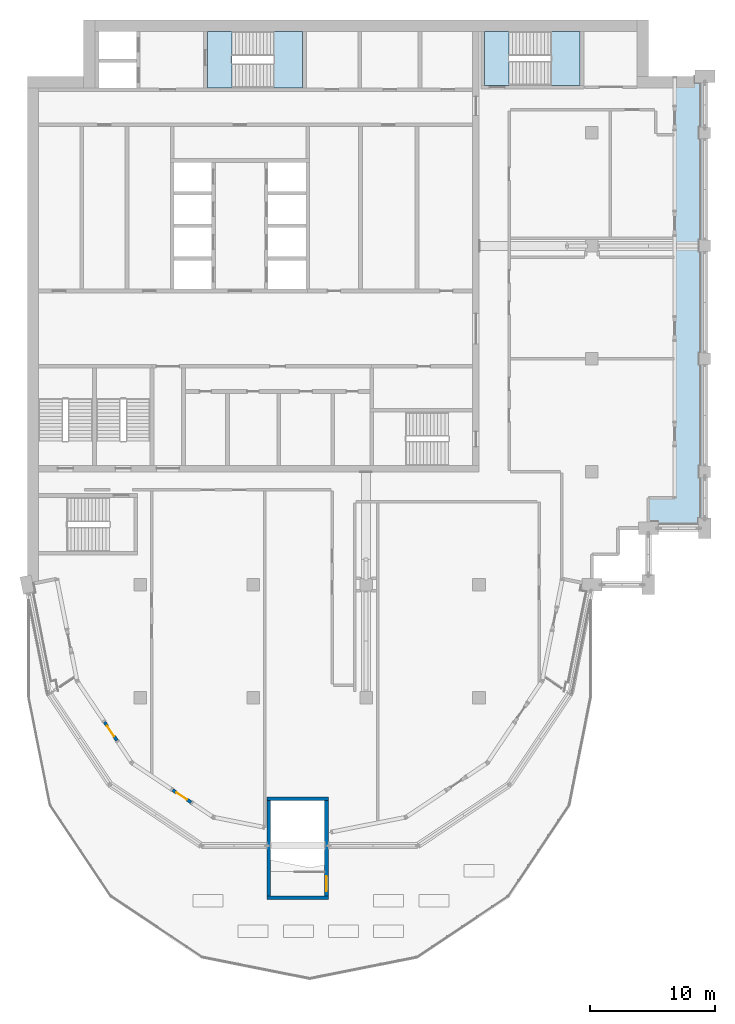
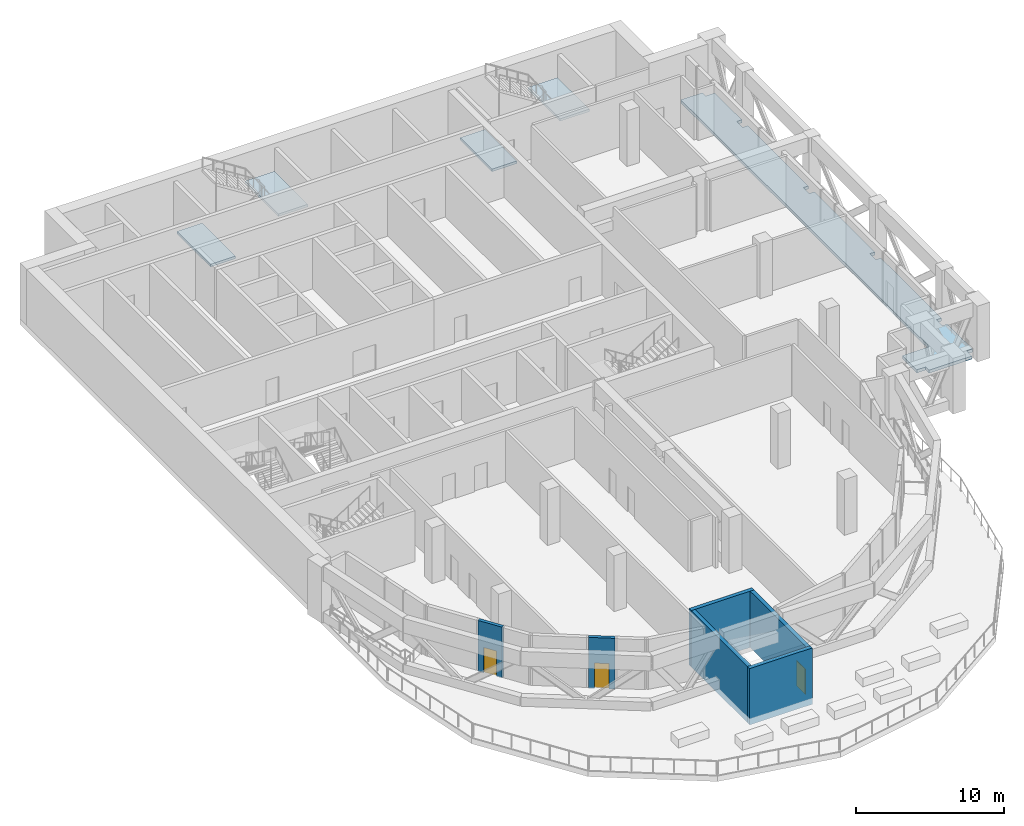
# One storey, part 6 of 18: 6 walls, 5 slabs, 3 doors, 3 openings, 2 elements without a shape of their own.
"""IFC4 building model written with IfcOpenShell, lengths in metres."""

from ifc_helpers import new_model, si_unit, direction, frame, frame_2d, origin, place, context, subcontext, project, spatial, polyline, rectangle, outline, extrude, material, layer, layer_set, type_object, element, fill, aggregate, save


model = new_model("IFC4")

# Units and contexts
model_context = context("Model", 3, precision=1e-05, world=origin(), true_north=direction((0.0, 1.0)))
body_context = subcontext(model_context, "Body", "Model", "MODEL_VIEW")
ifc_project = project(units=[si_unit("LENGTHUNIT", "METRE"), si_unit("AREAUNIT", "SQUARE_METRE"), si_unit("VOLUMEUNIT", "CUBIC_METRE"), si_unit("PLANEANGLEUNIT", "RADIAN"), si_unit("MASSUNIT", "GRAM", prefix="KILO")], contexts=[model_context])

# Site, building, storey
site_placement = place(None, origin())
site = spatial("IfcSite", under=ifc_project, at=site_placement, CompositionType="ELEMENT")
building_placement = place(site_placement, origin())
building = spatial("IfcBuilding", under=site, at=building_placement, Name="Hunhe Ridgeline Campus", CompositionType="ELEMENT")
storey_placement = place(building_placement, frame((0.0, 0.0, 276.199951171875)))
storey = spatial("IfcBuildingStorey", under=building, at=storey_placement, Name="L71", CompositionType="ELEMENT", Elevation=276.199951171875)

# Slab
ifc_material_1 = material(Name="Concrete C40", Category="concrete")
ifc_layer_1 = layer(ifc_material_1, 0.25)
ifc_layer_set_1 = layer_set([ifc_layer_1], Name="Loggia slab 250 Concrete C40")
slab_type_1 = type_object("IfcSlabType", Name="Loggia slab 250 Concrete C40", PredefinedType="FLOOR", material=ifc_layer_set_1)
slab_1_placement = place(storey_placement, frame((0.0, 0.0, -0.25)))
element("IfcSlab", 1, at=slab_1_placement, inside=storey, type_object=slab_type_1, Name="Loggia slab 3", PredefinedType="FLOOR", context=body_context, shape_type="SweptSolid", body=[
    extrude(outline(polyline([(49.5, 60.89990234375), (49.5, 58.949951171875), (50.199951171875, 58.949951171875), (50.199951171875, 58.5), (53.550048828125, 58.5), (53.550048828125, 59.199951171875), (54.0, 59.199951171875), (54.0, 62.60009765625), (53.60009765625, 62.60009765625), (53.60009765625, 63.39990234375), (54.0, 63.39990234375), (54.0, 71.60009765625), (53.60009765625, 71.60009765625), (53.60009765625, 72.39990234375), (54.0, 72.39990234375), (54.0, 80.60009765625), (53.60009765625, 80.60009765625), (53.60009765625, 81.39990234375), (54.0, 81.39990234375), (54.0, 89.60009765625), (53.60009765625, 89.60009765625), (53.60009765625, 90.39990234375), (54.0, 90.39990234375), (54.0, 94.050048828125), (53.300048828125, 94.050048828125), (53.300048828125, 94.5), (51.60009765625, 94.5), (51.60009765625, 60.89990234375), (49.5, 60.89990234375)])), origin(), (0.0, 0.0, 1.0), 0.25),
])

# Stair, slab
stair_type = type_object("IfcStairType", Name="Reinforced concrete dog-leg stair 1950 Concrete C40", PredefinedType="HALF_TURN_STAIR", material=ifc_material_1)
stair_1_placement = place(storey_placement, origin())
stair_1 = element("IfcStair", 2, at=stair_1_placement, inside=storey, type_object=stair_type, Name="L71 S1", PredefinedType="HALF_TURN_STAIR")
ifc_layer_2 = layer(ifc_material_1, 0.199951171875)
ifc_layer_set_2 = layer_set([ifc_layer_2], Name="Reinforced concrete stair landing 200 Concrete C40")
slab_type_2 = type_object("IfcSlabType", Name="Reinforced concrete stair landing 200 Concrete C40", PredefinedType="LANDING", material=ifc_layer_set_2)
slab_2_placement = place(storey_placement, frame((0.0, 0.0, 2.10009765625)))
slab_2 = element("IfcSlab", 3, at=slab_2_placement, type_object=slab_type_2, Name="ST1 landing 1", PredefinedType="LANDING", context=body_context, shape_type="SweptSolid", body=[
    extrude(outline(polyline([(19.659912109375, 93.60009765625), (21.949951171875, 93.60009765625), (21.949951171875, 98.10009765625), (19.659912109375, 98.10009765625), (19.659912109375, 93.60009765625)])), origin(), (0.0, 0.0, 1.0), 0.199951171875),
])
aggregate(stair_1, [slab_2])

# Slab
slab_3_placement = place(storey_placement, frame((0.0, 0.0, -0.199951171875)))
element("IfcSlab", 4, at=slab_3_placement, inside=storey, type_object=slab_type_2, Name="L71 stair S1 floor landing", PredefinedType="LANDING", context=body_context, shape_type="SweptSolid", body=[
    extrude(outline(polyline([(14.35009765625, 93.60009765625), (16.300048828125, 93.60009765625), (16.300048828125, 98.10009765625), (14.35009765625, 98.10009765625), (14.35009765625, 93.60009765625)])), origin(), (0.0, 0.0, 1.0), 0.199951171875),
])

# Stair, slab
stair_2_placement = place(storey_placement, origin())
stair_2 = element("IfcStair", 5, at=stair_2_placement, inside=storey, type_object=stair_type, Name="L71 E1", PredefinedType="HALF_TURN_STAIR")
slab_4_placement = place(storey_placement, frame((0.0, 0.0, 2.10009765625)))
slab_4 = element("IfcSlab", 6, at=slab_4_placement, type_object=slab_type_2, Name="ST5 landing 1", PredefinedType="LANDING", context=body_context, shape_type="SweptSolid", body=[
    extrude(outline(polyline([(41.760009765625, 93.800048828125), (44.050048828125, 93.800048828125), (44.050048828125, 98.10009765625), (41.760009765625, 98.10009765625), (41.760009765625, 93.800048828125)])), origin(), (0.0, 0.0, 1.0), 0.199951171875),
])
aggregate(stair_2, [slab_4])

# Slab
slab_5_placement = place(storey_placement, frame((0.0, 0.0, -0.199951171875)))
element("IfcSlab", 7, at=slab_5_placement, inside=storey, type_object=slab_type_2, Name="L71 stair E1 floor landing", PredefinedType="LANDING", context=body_context, shape_type="SweptSolid", body=[
    extrude(outline(polyline([(36.449951171875, 93.800048828125), (38.39990234375, 93.800048828125), (38.39990234375, 98.10009765625), (36.449951171875, 98.10009765625), (36.449951171875, 93.800048828125)])), origin(), (0.0, 0.0, 1.0), 0.199951171875),
])

# Wall, opening, door
ifc_material_2 = material(Name="Concrete C30", Category="concrete")
ifc_layer_3 = layer(ifc_material_2, 0.25)
ifc_layer_set_3 = layer_set([ifc_layer_3], Name="Loggia door pier wall 250 Concrete C30")
wall_type_1 = type_object("IfcWallType", Name="Loggia door pier wall 250 Concrete C30", PredefinedType="SOLIDWALL", material=ifc_layer_set_3)
wall_1_placement = place(storey_placement, frame((6.147705078125, 43.07373046875, 0.0), z_axis=(0.0, 0.0, 1.0), x_axis=(0.555576323502, -0.83146554274, 0.0)))
wall_1 = element("IfcWall", 8, at=wall_1_placement, inside=storey, type_object=wall_type_1, Name="Loggia door pier 2", PredefinedType="SOLIDWALL", context=body_context, shape_type="SweptSolid", body=[
    extrude(rectangle(XDim=1.800048828125, YDim=0.25, at=frame_2d((0.89990234375, 0.0))), origin(), (0.0, 0.0, 1.0), 4.199951171875),
])
opening_1_placement = place(wall_1_placement, frame((0.39990234375, 0.0, 0.0)))
opening_1 = element("IfcOpeningElement", 9, at=opening_1_placement, cuts=wall_1, Name="Opening BR602", PredefinedType="OPENING", context=body_context, shape_type="SweptSolid", body=[
    extrude(rectangle(XDim=1.0, YDim=2.10009765625, at=frame_2d((0.5, 1.050048828125))), frame((0.0, 0.125, 0.0), z_axis=(0.0, -1.0, 0.0), x_axis=(1.0, 0.0, 0.0)), (0.0, 0.0, 1.0), 0.25),
])
ifc_material_3 = material(Name="Aluminium 6063", Category="aluminium")
door_type_1 = type_object("IfcDoorType", Name="Loggia glazed door 1000x2100", OperationType="NOTDEFINED", PredefinedType="DOOR", material=ifc_material_3)
door_1_placement = place(opening_1_placement, frame((1.0, 0.0, 0.0), z_axis=(0.0, 0.0, 1.0), x_axis=(-1.0, 0.0, 0.0)))
door_1 = element("IfcDoor", 10, at=door_1_placement, inside=storey, type_object=door_type_1, Name="Loggia door BR602", OperationType="SINGLE_SWING_LEFT", OverallHeight=2.10009765625, OverallWidth=1.0, PredefinedType="DOOR", context=body_context, shape_type="SweptSolid", body=[
    extrude(rectangle(XDim=1.0, YDim=2.10009765625, at=frame_2d((0.5, 1.050048828125))), frame((0.0, 0.02490234375, 0.0), z_axis=(0.0, -1.0, 0.0), x_axis=(1.0, 0.0, 0.0)), (0.0, 0.0, 1.0), 0.050048828125),
])
fill(opening_1, door_1)

wall_2_placement = place(storey_placement, frame((11.57373046875, 37.647705078125, 0.0), z_axis=(0.0, 0.0, 1.0), x_axis=(0.83146554274, -0.555576323502, 0.0)))
wall_2 = element("IfcWall", 11, at=wall_2_placement, inside=storey, type_object=wall_type_1, Name="Loggia door pier 3", PredefinedType="SOLIDWALL", context=body_context, shape_type="SweptSolid", body=[
    extrude(rectangle(XDim=1.800048828125, YDim=0.25, at=frame_2d((0.89990234375, 0.0))), origin(), (0.0, 0.0, 1.0), 4.199951171875),
])
opening_2_placement = place(wall_2_placement, frame((0.39990234375, 0.0, 0.0)))
opening_2 = element("IfcOpeningElement", 12, at=opening_2_placement, cuts=wall_2, Name="Opening BR603", PredefinedType="OPENING", context=body_context, shape_type="SweptSolid", body=[
    extrude(rectangle(XDim=1.0, YDim=2.10009765625, at=frame_2d((0.5, 1.050048828125))), frame((0.0, 0.125, 0.0), z_axis=(0.0, -1.0, 0.0), x_axis=(1.0, 0.0, 0.0)), (0.0, 0.0, 1.0), 0.25),
])
door_2_placement = place(opening_2_placement, frame((1.0, 0.0, 0.0), z_axis=(0.0, 0.0, 1.0), x_axis=(-1.0, 0.0, 0.0)))
door_2 = element("IfcDoor", 13, at=door_2_placement, inside=storey, type_object=door_type_1, Name="Loggia door BR603", OperationType="SINGLE_SWING_RIGHT", OverallHeight=2.10009765625, OverallWidth=1.0, PredefinedType="DOOR", context=body_context, shape_type="SweptSolid", body=[
    extrude(rectangle(XDim=1.0, YDim=2.10009765625, at=frame_2d((0.5, 1.050048828125))), frame((0.0, 0.02490234375, 0.0), z_axis=(0.0, -1.0, 0.0), x_axis=(1.0, 0.0, 0.0)), (0.0, 0.0, 1.0), 0.050048828125),
])
fill(opening_2, door_2)

# Walls
ifc_material_4 = material(Name="Concrete C50", Category="concrete")
ifc_layer_4 = layer(ifc_material_4, 0.300048828125)
ifc_layer_set_4 = layer_set([ifc_layer_4], Name="Stair wall 300 reinforced concrete C50")
wall_type_2 = type_object("IfcWallType", Name="Stair wall 300 reinforced concrete C50", PredefinedType="SOLIDWALL", material=ifc_layer_set_4)
for number, where, z_axis, x_axis, name in (
    (14, (19.10009765625, 29.050048828125, -0.449951171875), (0.0, 0.0, 1.0), (1.0, 0.0, 0.0), "L71 core wall 1"),
    (15, (19.10009765625, 36.949951171875, -0.449951171875), (0.0, 0.0, 1.0), (1.0, 0.0, 0.0), "L71 core wall 2"),
):
    element("IfcWall", number, at=place(storey_placement, frame(where, z_axis=z_axis, x_axis=x_axis)), inside=storey, type_object=wall_type_2, Name=name, PredefinedType="SOLIDWALL", context=body_context, shape_type="SweptSolid", body=[
        extrude(rectangle(XDim=4.89990234375, YDim=0.300048828125, at=frame_2d((2.449951171875, 0.0))), origin(), (0.0, 0.0, 1.0), 4.64990234375),
    ])
wall_3_placement = place(storey_placement, frame((19.25, 29.199951171875, -0.449951171875), z_axis=(0.0, 0.0, 1.0), x_axis=(0.0, 1.0, 0.0)))
element("IfcWall", 16, at=wall_3_placement, inside=storey, type_object=wall_type_2, Name="L71 core wall 38", PredefinedType="SOLIDWALL", context=body_context, shape_type="SweptSolid", body=[
    extrude(rectangle(XDim=7.60009765625, YDim=0.300048828125, at=frame_2d((3.800048828125, 0.0))), origin(), (0.0, 0.0, 1.0), 4.64990234375),
])

# Wall, opening, door
wall_4_placement = place(storey_placement, frame((23.85009765625, 29.199951171875, -0.449951171875), z_axis=(0.0, 0.0, 1.0), x_axis=(0.0, 1.0, 0.0)))
wall_4 = element("IfcWall", 17, at=wall_4_placement, inside=storey, type_object=wall_type_2, Name="L71 core wall 43", PredefinedType="SOLIDWALL", context=body_context, shape_type="SweptSolid", body=[
    extrude(rectangle(XDim=7.60009765625, YDim=0.300048828125, at=frame_2d((3.800048828125, 0.0))), origin(), (0.0, 0.0, 1.0), 4.64990234375),
])
opening_3_placement = place(wall_4_placement, frame((0.375, 0.0, 0.449951171875)))
opening_3 = element("IfcOpeningElement", 18, at=opening_3_placement, cuts=wall_4, Name="Opening CD23", PredefinedType="OPENING", context=body_context, shape_type="SweptSolid", body=[
    extrude(rectangle(XDim=1.199951171875, YDim=2.10009765625, at=frame_2d((0.60009765625, 1.050048828125))), frame((0.0, 0.14990234375, 0.0), z_axis=(0.0, -1.0, 0.0), x_axis=(1.0, 0.0, 0.0)), (0.0, 0.0, 1.0), 0.300048828125),
])
ifc_material_5 = material(Name="Hollow metal fire door leaf")
door_type_2 = type_object("IfcDoorType", Name="Stair door 1200x2100 FD60", OperationType="SINGLE_SWING_LEFT", PredefinedType="DOOR", material=ifc_material_5)
door_3_placement = place(opening_3_placement, frame((1.199951171875, 0.0, 0.0), z_axis=(0.0, 0.0, 1.0), x_axis=(-1.0, 0.0, 0.0)))
door_3 = element("IfcDoor", 19, at=door_3_placement, inside=storey, type_object=door_type_2, Name="L71 door W3", OperationType="SINGLE_SWING_LEFT", OverallHeight=2.10009765625, OverallWidth=1.199951171875, PredefinedType="DOOR", context=body_context, shape_type="SweptSolid", body=[
    extrude(rectangle(XDim=1.199951171875, YDim=2.10009765625, at=frame_2d((0.60009765625, 1.050048828125))), frame((0.0, 0.02490234375, 0.0), z_axis=(0.0, -1.0, 0.0), x_axis=(1.0, 0.0, 0.0)), (0.0, 0.0, 1.0), 0.050048828125),
])
fill(opening_3, door_3)

save(model, "model.ifc")
